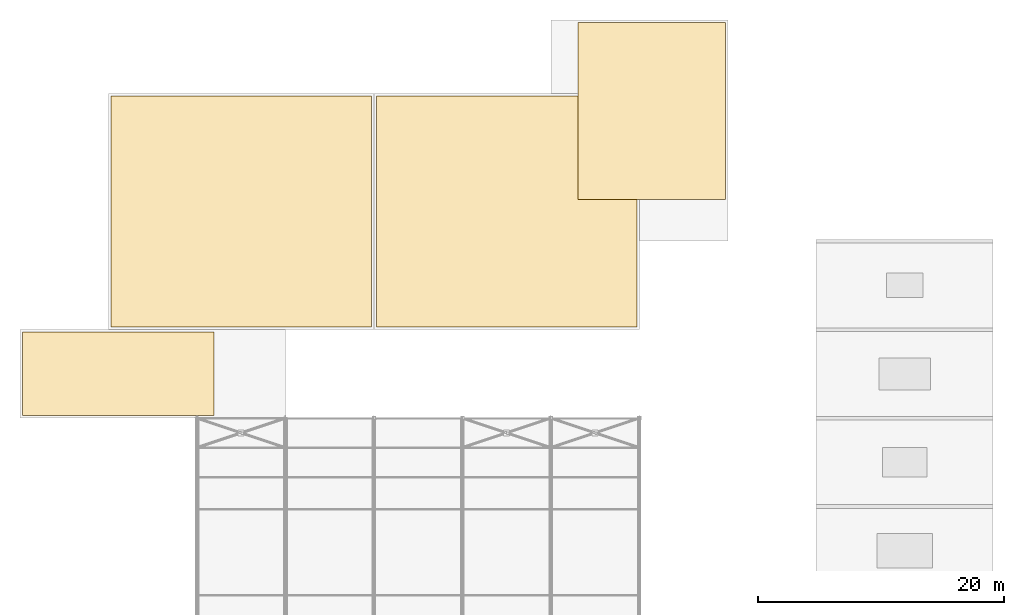
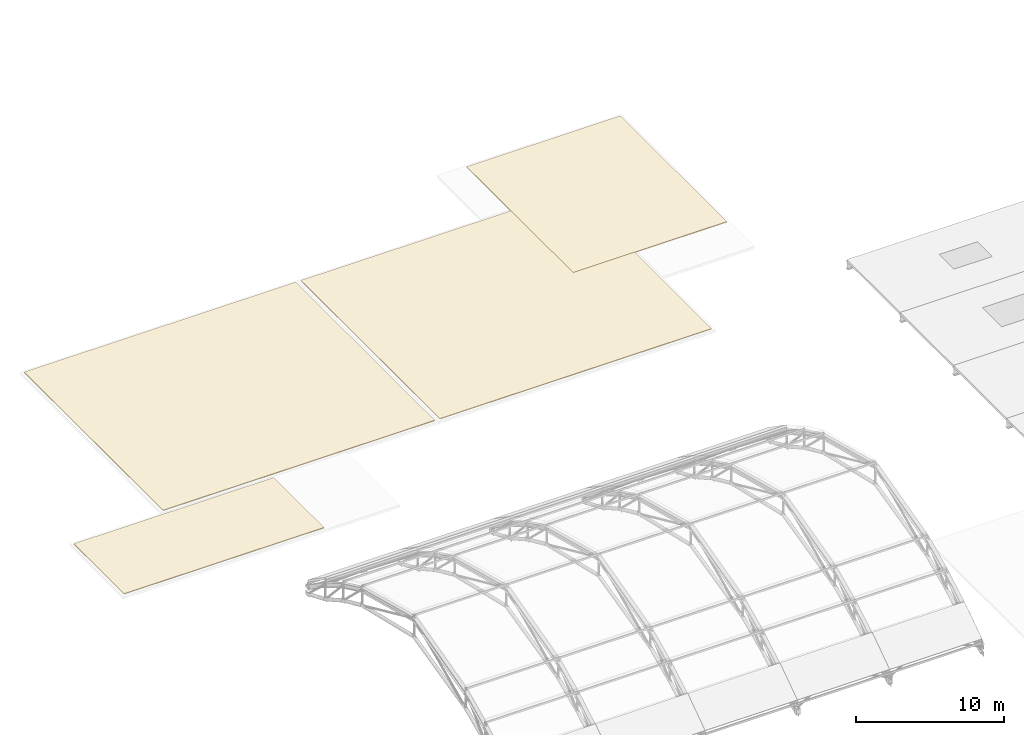
# One storey, part 63 of 63: 4 coverings.
"""IFC4 building model written with IfcOpenShell, lengths in metres."""

from ifc_helpers import new_model, si_unit, direction, frame, origin, place, context, subcontext, project, spatial, polyline, outline, extrude, material, layer, layer_set, type_object, element, save


model = new_model("IFC4")

# Units and contexts
model_context = context("Model", 3, precision=1e-05, world=origin(), true_north=direction((0.0, 1.0)))
body_context = subcontext(model_context, "Body", "Model", "MODEL_VIEW")
ifc_project = project(units=[si_unit("LENGTHUNIT", "METRE"), si_unit("AREAUNIT", "SQUARE_METRE"), si_unit("VOLUMEUNIT", "CUBIC_METRE"), si_unit("PLANEANGLEUNIT", "RADIAN"), si_unit("MASSUNIT", "GRAM", prefix="KILO")], contexts=[model_context])

# Site, building, storey
site_placement = place(None, origin())
site = spatial("IfcSite", under=ifc_project, at=site_placement, CompositionType="ELEMENT")
building_placement = place(site_placement, origin())
building = spatial("IfcBuilding", under=site, at=building_placement, Name="Solvadek Multi-Sports Hall", CompositionType="ELEMENT")
storey_placement = place(building_placement, frame((0.0, 0.0, 19.199951171875)))
storey = spatial("IfcBuildingStorey", under=building, at=storey_placement, Name="RF", CompositionType="ELEMENT", Elevation=19.199951171875)

# Coverings
ifc_material = material(Name="SBS elastomeric verdigris roof membrane")
ifc_layer = layer(ifc_material, 0.06005859375, Name="SBS elastomeric verdigris roof membrane")
ifc_layer_set = layer_set([ifc_layer], Name="SBS elastomeric verdigris roof membrane")
covering_type = type_object("IfcCoveringType", Name="ENV-COV-ROOF60", PredefinedType="ROOFING", material=ifc_layer_set)
covering_1_placement = place(storey_placement, origin())
element("IfcCovering", 1, at=covering_1_placement, inside=storey, type_object=covering_type, Name="RF SBS Elastomeric Cool-Roof Membrane #5", PredefinedType="ROOFING", context=body_context, shape_type="SweptSolid", body=[
    extrude(outline(polyline([(14.60009765625, 85.39990234375), (35.800048828125, 85.39990234375), (35.800048828125, 104.199951171875), (14.60009765625, 104.199951171875), (14.60009765625, 85.39990234375)])), origin(), (0.0, 0.0, 1.0), 0.06005859375),
])
covering_2_placement = place(storey_placement, origin())
element("IfcCovering", 2, at=covering_2_placement, inside=storey, type_object=covering_type, Name="RF SBS Elastomeric Cool-Roof Membrane #6", PredefinedType="ROOFING", context=body_context, shape_type="SweptSolid", body=[
    extrude(outline(polyline([(36.199951171875, 85.39990234375), (57.39990234375, 85.39990234375), (57.39990234375, 104.199951171875), (36.199951171875, 104.199951171875), (36.199951171875, 85.39990234375)])), origin(), (0.0, 0.0, 1.0), 0.06005859375),
])
covering_3_placement = place(storey_placement, origin())
element("IfcCovering", 3, at=covering_3_placement, inside=storey, type_object=covering_type, Name="RF SBS Elastomeric Cool-Roof Membrane #7", PredefinedType="ROOFING", context=body_context, shape_type="SweptSolid", body=[
    extrude(outline(polyline([(7.39990234375, 78.199951171875), (23.0, 78.199951171875), (23.0, 85.0), (7.39990234375, 85.0), (7.39990234375, 78.199951171875)])), origin(), (0.0, 0.0, 1.0), 0.06005859375),
])
covering_4_placement = place(storey_placement, origin())
element("IfcCovering", 4, at=covering_4_placement, inside=storey, type_object=covering_type, Name="RF SBS Elastomeric Cool-Roof Membrane #8", PredefinedType="ROOFING", context=body_context, shape_type="SweptSolid", body=[
    extrude(outline(polyline([(52.60009765625, 95.800048828125), (64.60009765625, 95.800048828125), (64.60009765625, 110.199951171875), (52.60009765625, 110.199951171875), (52.60009765625, 95.800048828125)])), origin(), (0.0, 0.0, 1.0), 0.06005859375),
])

save(model, "model.ifc")
